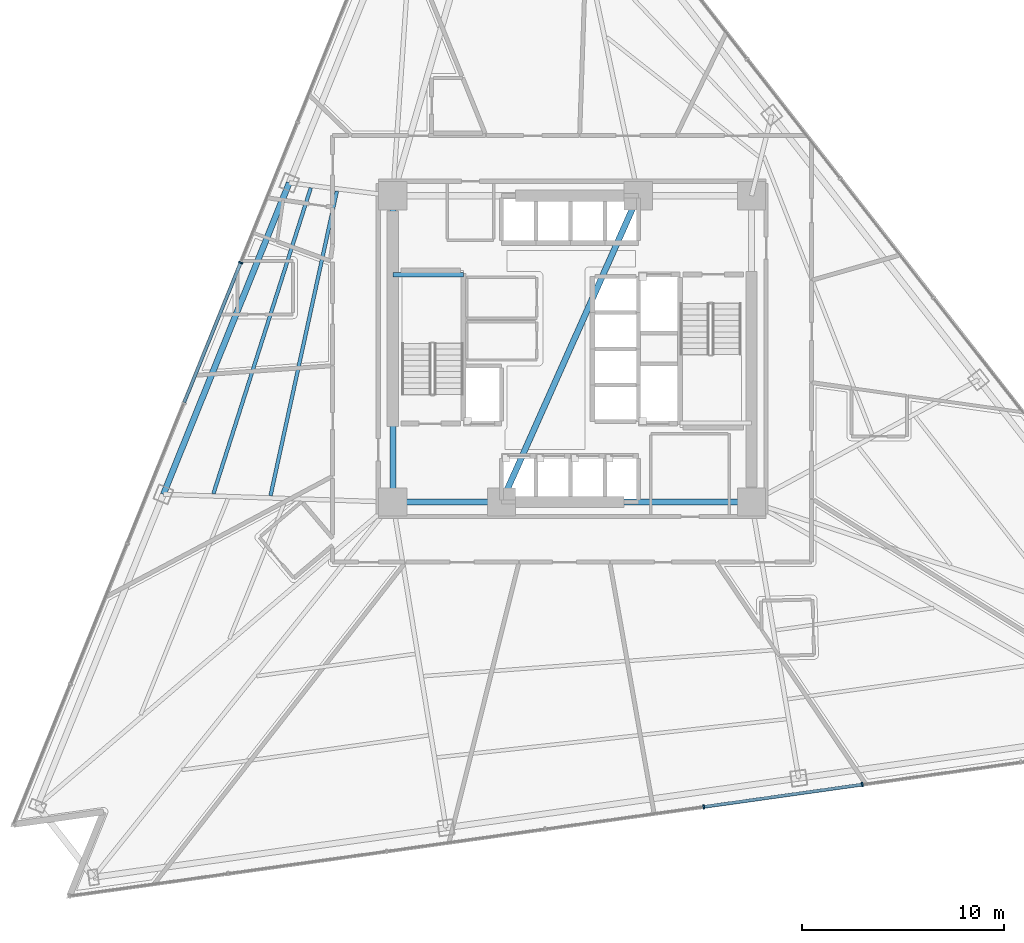
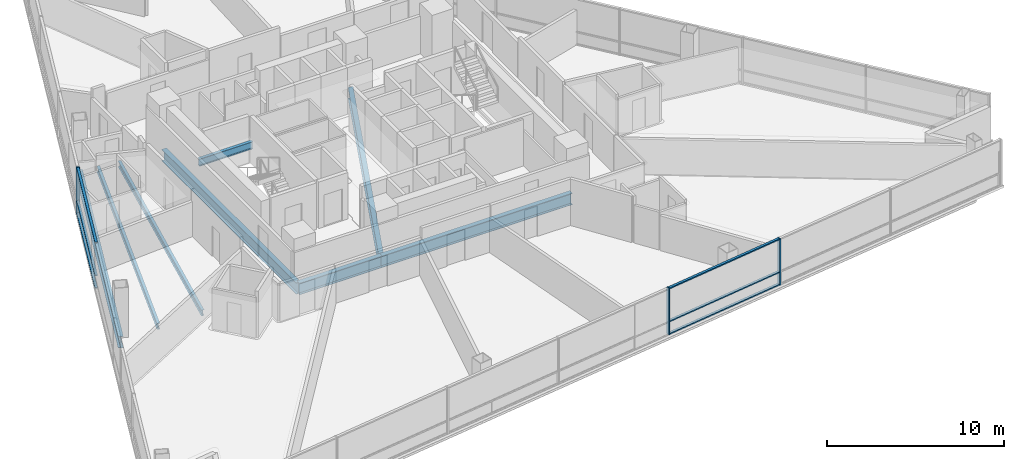
# One storey, part 3 of 15: 9 members, 8 beams, 2 elements without a shape of their own.
"""IFC4 building model written with IfcOpenShell, lengths in metres."""

from ifc_helpers import new_model, si_unit, direction, frame, origin, origin_2d, place, context, subcontext, project, spatial, rectangle, i_section, extrude, material, layer, layer_set, material_profile, profile_set, type_object, element, aggregate, save


model = new_model("IFC4")

# Units and contexts
model_context = context("Model", 3, precision=1e-05, world=origin(), true_north=direction((0.0, 1.0)))
body_context = subcontext(model_context, "Body", "Model", "MODEL_VIEW")
ifc_project = project(units=[si_unit("LENGTHUNIT", "METRE"), si_unit("AREAUNIT", "SQUARE_METRE"), si_unit("VOLUMEUNIT", "CUBIC_METRE"), si_unit("PLANEANGLEUNIT", "RADIAN"), si_unit("MASSUNIT", "GRAM", prefix="KILO")], contexts=[model_context])

# Site, building, storey
site_placement = place(None, origin())
site = spatial("IfcSite", under=ifc_project, at=site_placement, CompositionType="ELEMENT")
building_placement = place(site_placement, origin())
building = spatial("IfcBuilding", under=site, at=building_placement, Name="Tharavind Bronze Gate", CompositionType="ELEMENT")
storey_placement = place(building_placement, frame((0.0, 0.0, 77.64990234375)))
storey = spatial("IfcBuildingStorey", under=building, at=storey_placement, Name="L19", CompositionType="ELEMENT", Elevation=77.64990234375)

# Curtain wall, member
ifc_material_1 = material(Name="Anodised Bronze Aluminium", Category="aluminium")
ifc_layer = layer(ifc_material_1, 0.219970703125)
ifc_layer_set = layer_set([ifc_layer], Name="Anodised Bronze Aluminium")
curtain_wall_type = type_object("IfcCurtainWallType", Name="UNITISED CURTAIN WALL HOTEL", PredefinedType="USERDEFINED", material=ifc_layer_set)
curtain_wall_1_placement = place(storey_placement, origin())
curtain_wall_1 = element("IfcCurtainWall", 1, at=curtain_wall_1_placement, inside=storey, type_object=curtain_wall_type, Name="L19 unitised curtain wall hotel CW-L19-S1", ObjectType="UNITISED CURTAIN WALL", PredefinedType="USERDEFINED")
member_type_1 = type_object("IfcMemberType", Name="CURTAIN WALL MULLION 80X220", PredefinedType="MULLION", material=ifc_material_1)
member_1_placement = place(storey_placement, frame((-16.4462890625, 4.279541015625, 0.0), z_axis=(0.0, 0.0, 1.0), x_axis=(-0.374606593416, -0.927183854567, 0.0)))
member_1 = element("IfcMember", 2, at=member_1_placement, type_object=member_type_1, Name="CW-L19-S1 mullion 4", PredefinedType="MULLION", context=body_context, shape_type="SweptSolid", body=[
    extrude(rectangle(XDim=0.080078125, YDim=0.219970703125, at=origin_2d()), origin(), (0.0, 0.0, 1.0), 3.2099609375),
])

# Curtain wall, members
curtain_wall_2_placement = place(storey_placement, origin())
curtain_wall_2 = element("IfcCurtainWall", 3, at=curtain_wall_2_placement, inside=storey, type_object=curtain_wall_type, Name="L19 unitised curtain wall hotel CW-L19-S2", ObjectType="UNITISED CURTAIN WALL", PredefinedType="USERDEFINED")
member_2_placement = place(storey_placement, frame((6.52880859375, -22.7158203125, 0.0), z_axis=(0.0, 0.0, 1.0), x_axis=(0.990268068742, 0.13917310096, 0.0)))
member_2 = element("IfcMember", 4, at=member_2_placement, type_object=member_type_1, Name="CW-L19-S2 mullion 5", PredefinedType="MULLION", context=body_context, shape_type="SweptSolid", body=[
    extrude(rectangle(XDim=0.080078125, YDim=0.219970703125, at=origin_2d()), origin(), (0.0, 0.0, 1.0), 3.2099609375),
])
member_3_placement = place(storey_placement, frame((14.39501953125, -21.610107421875, 0.0), z_axis=(0.0, 0.0, 1.0), x_axis=(0.990268068742, 0.13917310096, 0.0)))
member_3 = element("IfcMember", 5, at=member_3_placement, type_object=member_type_1, Name="CW-L19-S2 mullion 6", PredefinedType="MULLION", context=body_context, shape_type="SweptSolid", body=[
    extrude(rectangle(XDim=0.080078125, YDim=0.219970703125, at=origin_2d()), origin(), (0.0, 0.0, 1.0), 3.2099609375),
])

# Member
member_type_2 = type_object("IfcMemberType", Name="CURTAIN WALL TRANSOM 80X160", PredefinedType="USERDEFINED", material=ifc_material_1)
member_4_placement = place(storey_placement, frame((-17.85400390625, 0.795654296875, 0.0), z_axis=(0.0, 0.0, 1.0), x_axis=(-0.374606593416, -0.927183854567, 0.0)))
member_4 = element("IfcMember", 6, at=member_4_placement, type_object=member_type_2, Name="CW-L19-S1 transom TB4", ObjectType="TRANSOM", PredefinedType="USERDEFINED", context=body_context, shape_type="SweptSolid", body=[
    extrude(rectangle(XDim=7.447021484375, YDim=0.159912109375, at=origin_2d()), origin(), (0.0, 0.0, 1.0), 0.080078125),
])

member_5_placement = place(storey_placement, frame((-17.85400390625, 0.795654296875, 0.860107421875), z_axis=(0.0, 0.0, 1.0), x_axis=(-0.374606593416, -0.927183854567, 0.0)))
member_5 = element("IfcMember", 7, at=member_5_placement, type_object=member_type_2, Name="CW-L19-S1 transom TS4", ObjectType="TRANSOM", PredefinedType="USERDEFINED", context=body_context, shape_type="SweptSolid", body=[
    extrude(rectangle(XDim=7.447021484375, YDim=0.159912109375, at=origin_2d()), origin(), (0.0, 0.0, 1.0), 0.080078125),
])

member_6_placement = place(storey_placement, frame((-17.85400390625, 0.795654296875, 3.130126953125), z_axis=(0.0, 0.0, 1.0), x_axis=(-0.374606593416, -0.927183854567, 0.0)))
member_6 = element("IfcMember", 8, at=member_6_placement, type_object=member_type_2, Name="CW-L19-S1 transom TT4", ObjectType="TRANSOM", PredefinedType="USERDEFINED", context=body_context, shape_type="SweptSolid", body=[
    extrude(rectangle(XDim=7.447021484375, YDim=0.159912109375, at=origin_2d()), origin(), (0.0, 0.0, 1.0), 0.080078125),
])

aggregate(curtain_wall_1, [member_1, member_4, member_5, member_6])

member_7_placement = place(storey_placement, frame((10.4619140625, -22.1630859375, 0.0), z_axis=(0.0, 0.0, 1.0), x_axis=(0.990268068742, 0.13917310096, 0.0)))
member_7 = element("IfcMember", 9, at=member_7_placement, type_object=member_type_2, Name="CW-L19-S2 transom TB5", ObjectType="TRANSOM", PredefinedType="USERDEFINED", context=body_context, shape_type="SweptSolid", body=[
    extrude(rectangle(XDim=7.87548828125, YDim=0.159912109375, at=origin_2d()), origin(), (0.0, 0.0, 1.0), 0.080078125),
])

member_8_placement = place(storey_placement, frame((10.4619140625, -22.1630859375, 0.860107421875), z_axis=(0.0, 0.0, 1.0), x_axis=(0.990268068742, 0.13917310096, 0.0)))
member_8 = element("IfcMember", 10, at=member_8_placement, type_object=member_type_2, Name="CW-L19-S2 transom TS5", ObjectType="TRANSOM", PredefinedType="USERDEFINED", context=body_context, shape_type="SweptSolid", body=[
    extrude(rectangle(XDim=7.87548828125, YDim=0.159912109375, at=origin_2d()), origin(), (0.0, 0.0, 1.0), 0.080078125),
])

member_9_placement = place(storey_placement, frame((10.4619140625, -22.1630859375, 3.130126953125), z_axis=(0.0, 0.0, 1.0), x_axis=(0.990268068742, 0.13917310096, 0.0)))
member_9 = element("IfcMember", 11, at=member_9_placement, type_object=member_type_2, Name="CW-L19-S2 transom TT5", ObjectType="TRANSOM", PredefinedType="USERDEFINED", context=body_context, shape_type="SweptSolid", body=[
    extrude(rectangle(XDim=7.87548828125, YDim=0.159912109375, at=origin_2d()), origin(), (0.0, 0.0, 1.0), 0.080078125),
])

aggregate(curtain_wall_2, [member_2, member_3, member_7, member_8, member_9])

# Beams
ifc_material_2 = material(Name="Steel S355", Category="steel")
ifc_material_profile_1 = material_profile(ifc_material_2, i_section(OverallWidth=0.199951171875, OverallDepth=0.5, WebThickness=0.01025390625, FlangeThickness=0.01611328125, at=origin_2d()), Name="IPE500")
ifc_profile_set_1 = profile_set([ifc_material_profile_1], Name="Steel S355")
beam_type_1 = type_object("IfcBeamType", Name="PRIMARY GIRDER IPE500", PredefinedType="USERDEFINED", material=ifc_profile_set_1)
beam_1_placement = place(storey_placement, frame((-8.89990234375, 3.679931640625, 1.275146484375), z_axis=(1.0, 0.0, 0.0), x_axis=(0.0, 1.0, 0.0)))
element("IfcBeam", 12, at=beam_1_placement, inside=storey, type_object=beam_type_1, Name="L19 primary girder ipe500 BM-LD-ST1-L19-1", ObjectType="GIRDER", PredefinedType="USERDEFINED", context=body_context, shape_type="SweptSolid", body=[
    extrude(i_section(OverallWidth=0.199951171875, OverallDepth=0.5, WebThickness=0.01025390625, FlangeThickness=0.01611328125, at=origin_2d()), origin(), (0.0, 0.0, 1.0), 3.5),
])
ifc_material_profile_2 = material_profile(ifc_material_2, i_section(OverallWidth=0.300048828125, OverallDepth=0.800048828125, WebThickness=0.017578125, FlangeThickness=0.032958984375, at=origin_2d()), Name="HE800B")
ifc_profile_set_2 = profile_set([ifc_material_profile_2], Name="Steel S355")
beam_type_2 = type_object("IfcBeamType", Name="RING GIRDER HE800B", PredefinedType="USERDEFINED", material=ifc_profile_set_2)
beam_2_placement = place(storey_placement, frame((-8.89990234375, -7.60009765625, -0.574951171875), z_axis=(1.0, 0.0, 0.0), x_axis=(0.0, 1.0, 0.0)))
element("IfcBeam", 13, at=beam_2_placement, inside=storey, type_object=beam_type_2, Name="L19 ring girder he800b BM-L19-CR1", ObjectType="GIRDER", PredefinedType="USERDEFINED", context=body_context, shape_type="SweptSolid", body=[
    extrude(i_section(OverallWidth=0.300048828125, OverallDepth=0.800048828125, WebThickness=0.017578125, FlangeThickness=0.032958984375, at=origin_2d()), origin(), (0.0, 0.0, 1.0), 5.39990234375),
])
beam_3_placement = place(storey_placement, frame((-3.5, -7.60009765625, -0.574951171875), z_axis=(1.0, 0.0, 0.0), x_axis=(0.0, 1.0, 0.0)))
element("IfcBeam", 14, at=beam_3_placement, inside=storey, type_object=beam_type_2, Name="L19 ring girder he800b BM-L19-CR2", ObjectType="GIRDER", PredefinedType="USERDEFINED", context=body_context, shape_type="SweptSolid", body=[
    extrude(i_section(OverallWidth=0.300048828125, OverallDepth=0.800048828125, WebThickness=0.017578125, FlangeThickness=0.032958984375, at=origin_2d()), origin(), (0.0, 0.0, 1.0), 12.39990234375),
])
beam_4_placement = place(storey_placement, frame((-8.89990234375, 7.60009765625, -0.574951171875), z_axis=(0.0, -1.0, 0.0), x_axis=(1.0, 0.0, 0.0)))
element("IfcBeam", 15, at=beam_4_placement, inside=storey, type_object=beam_type_2, Name="L19 ring girder he800b BM-L19-CR6", ObjectType="GIRDER", PredefinedType="USERDEFINED", context=body_context, shape_type="SweptSolid", body=[
    extrude(i_section(OverallWidth=0.300048828125, OverallDepth=0.800048828125, WebThickness=0.017578125, FlangeThickness=0.032958984375, at=origin_2d()), origin(), (0.0, 0.0, 1.0), 15.2001953125),
])
beam_5_placement = place(storey_placement, frame((-3.5, -7.60009765625, -0.574951171875), z_axis=(0.407361644566, 0.913266932795, 0.0), x_axis=(-0.913266932795, 0.407361644566, 0.0)))
element("IfcBeam", 16, at=beam_5_placement, inside=storey, type_object=beam_type_2, Name="L19 ring girder he800b BM-L19-CR7", ObjectType="GIRDER", PredefinedType="USERDEFINED", context=body_context, shape_type="SweptSolid", body=[
    extrude(i_section(OverallWidth=0.300048828125, OverallDepth=0.800048828125, WebThickness=0.017578125, FlangeThickness=0.032958984375, at=origin_2d()), origin(), (0.0, 0.0, 1.0), 16.643798828125),
])
beam_6_placement = place(storey_placement, frame((-14.036376953125, 8.2421875, -0.574951171875), z_axis=(-0.374613188644, -0.927181189894, 0.0), x_axis=(0.927181189894, -0.374613188644, 0.0)))
element("IfcBeam", 17, at=beam_6_placement, inside=storey, type_object=beam_type_2, Name="L19 ring girder he800b BM-L19-PRG02", ObjectType="GIRDER", PredefinedType="USERDEFINED", context=body_context, shape_type="SweptSolid", body=[
    extrude(i_section(OverallWidth=0.300048828125, OverallDepth=0.800048828125, WebThickness=0.017578125, FlangeThickness=0.032958984375, at=origin_2d()), origin(), (0.0, 0.0, 1.0), 16.6689453125),
])
ifc_material_profile_3 = material_profile(ifc_material_2, i_section(OverallWidth=0.179931640625, OverallDepth=0.39990234375, WebThickness=0.008544921875, FlangeThickness=0.013427734375, at=origin_2d()), Name="IPE400")
ifc_profile_set_3 = profile_set([ifc_material_profile_3], Name="Steel S355")
beam_type_3 = type_object("IfcBeamType", Name="SECONDARY FLOOR JOIST IPE400", PredefinedType="JOIST", material=ifc_profile_set_3)
beam_7_placement = place(storey_placement, frame((-11.67236328125, 7.831787109375, -0.375), z_axis=(-0.212838572198, -0.977087376945, 0.0), x_axis=(0.977087376945, -0.212838572198, 0.0)))
element("IfcBeam", 18, at=beam_7_placement, inside=storey, type_object=beam_type_3, Name="L19 secondary floor joist ipe400 BM-L19-JSTA02", PredefinedType="JOIST", context=body_context, shape_type="SweptSolid", body=[
    extrude(i_section(OverallWidth=0.179931640625, OverallDepth=0.39990234375, WebThickness=0.008544921875, FlangeThickness=0.013427734375, at=origin_2d()), origin(), (0.0, 0.0, 1.0), 15.4658203125),
])
beam_8_placement = place(storey_placement, frame((-12.967041015625, 7.993896484375, -0.375), z_axis=(-0.303309311807, -0.952892156212, 0.0), x_axis=(0.952892156212, -0.303309311807, 0.0)))
element("IfcBeam", 19, at=beam_8_placement, inside=storey, type_object=beam_type_3, Name="L19 secondary floor joist ipe400 BM-L19-JSTB02", PredefinedType="JOIST", context=body_context, shape_type="SweptSolid", body=[
    extrude(i_section(OverallWidth=0.179931640625, OverallDepth=0.39990234375, WebThickness=0.008544921875, FlangeThickness=0.013427734375, at=origin_2d()), origin(), (0.0, 0.0, 1.0), 15.927734375),
])

save(model, "model.ifc")
